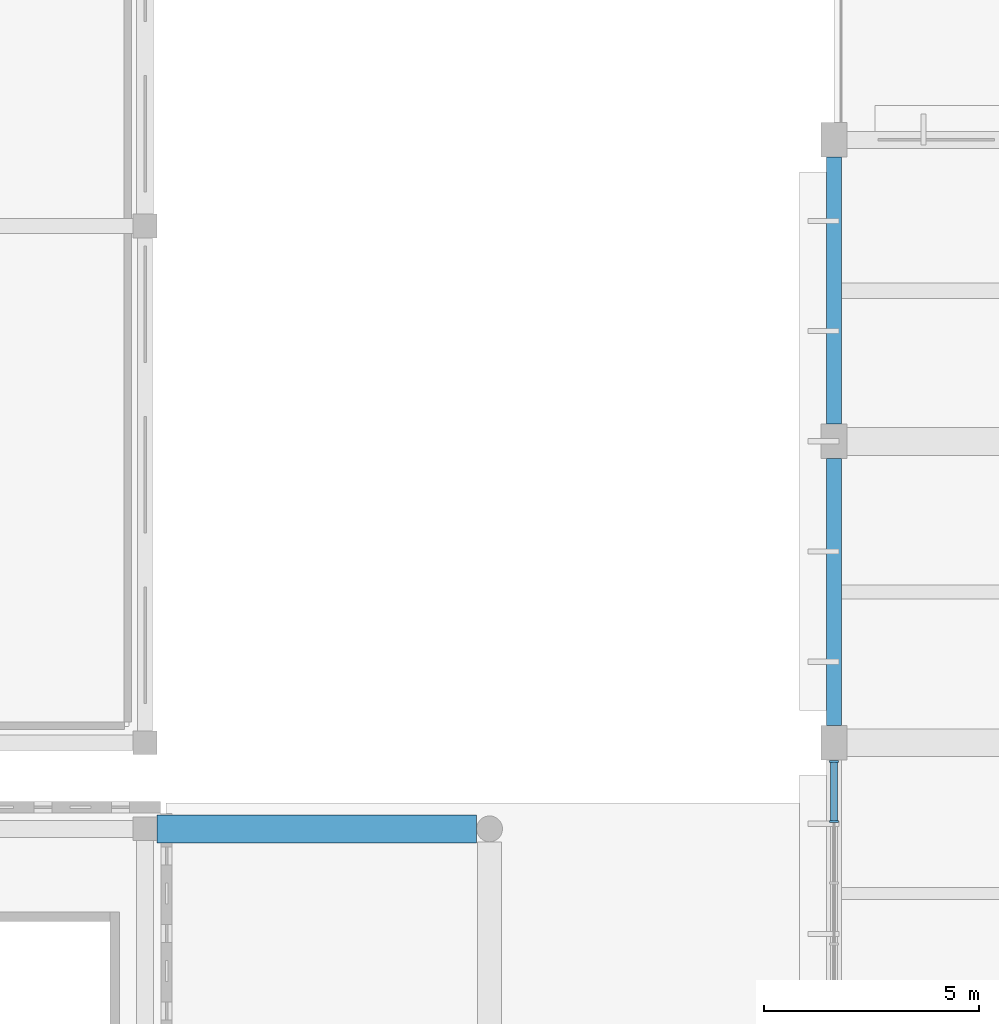
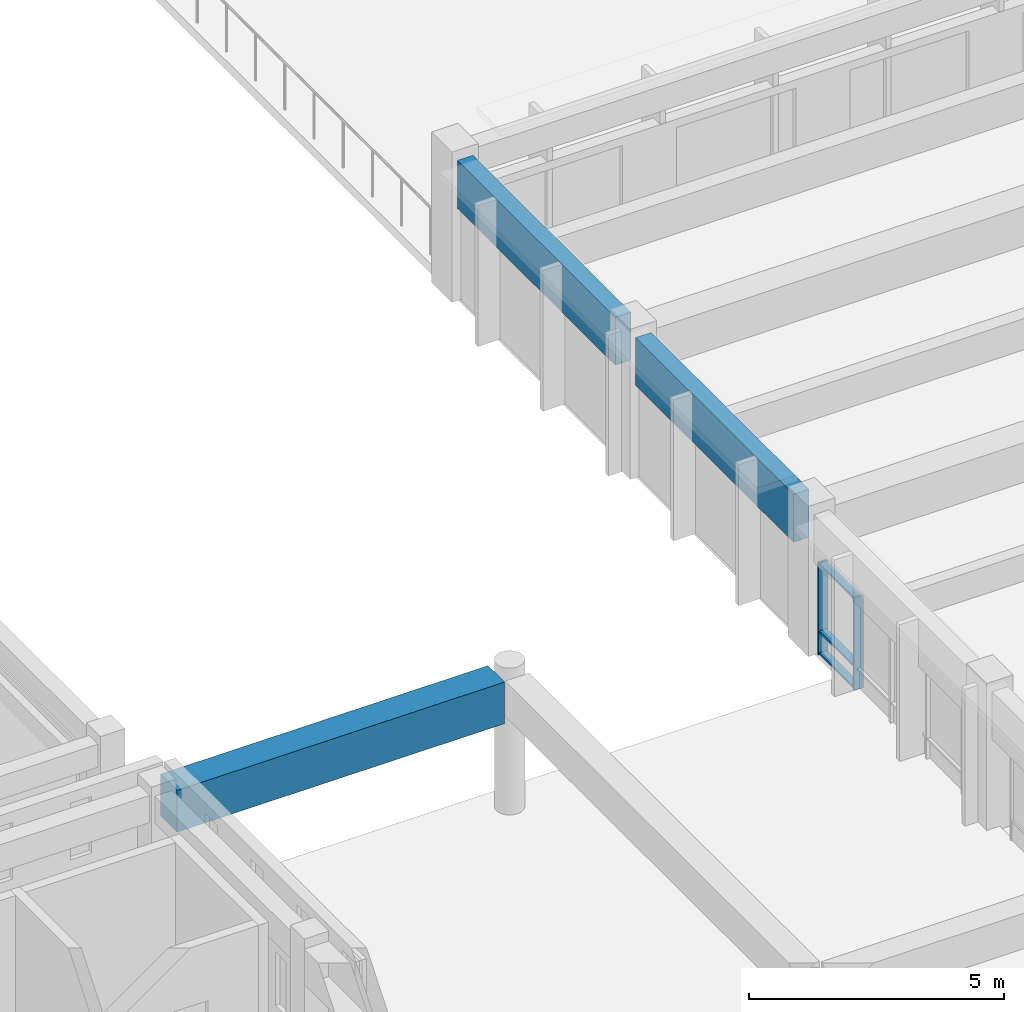
# One storey, part 26 of 155: 5 members, 3 beams, 1 element without a shape of its own.
"""IFC4 building model written with IfcOpenShell, lengths in metres."""

from ifc_helpers import new_model, si_unit, direction, frame, origin, origin_2d, place, context, subcontext, project, spatial, rectangle, extrude, material, material_profile, profile_set, type_object, element, aggregate, save


model = new_model("IFC4")

# Units and contexts
model_context = context("Model", 3, precision=1e-05, world=origin(), true_north=direction((0.0, 1.0)))
body_context = subcontext(model_context, "Body", "Model", "MODEL_VIEW")
ifc_project = project(units=[si_unit("LENGTHUNIT", "METRE"), si_unit("AREAUNIT", "SQUARE_METRE"), si_unit("VOLUMEUNIT", "CUBIC_METRE"), si_unit("PLANEANGLEUNIT", "RADIAN"), si_unit("MASSUNIT", "GRAM", prefix="KILO")], contexts=[model_context])

# Site, building, storey
site_placement = place(None, origin())
site = spatial("IfcSite", under=ifc_project, at=site_placement, CompositionType="ELEMENT")
building_placement = place(site_placement, origin())
building = spatial("IfcBuilding", under=site, at=building_placement, Name="Larkveld Mobility Hub", CompositionType="ELEMENT")
storey_placement = place(building_placement, frame((0.0, 0.0, 8.39990234375)))
storey = spatial("IfcBuildingStorey", under=building, at=storey_placement, Name="L02", CompositionType="ELEMENT", Elevation=8.39990234375)

# Beams
ifc_material_1 = material(Name="Concrete C40/50", Category="concrete")
ifc_material_profile_1 = material_profile(ifc_material_1, rectangle(XDim=0.64990234375, YDim=1.0, at=origin_2d()), Name="RC BM 650x1000")
ifc_profile_set_1 = profile_set([ifc_material_profile_1], Name="Concrete C40/50")
beam_type_1 = type_object("IfcBeamType", Name="BM-RC65100", PredefinedType="BEAM", material=ifc_profile_set_1)
beam_placement = place(storey_placement, frame((96.27490234375, 96.0, 2.860107421875), z_axis=(1.0, 0.0, 0.0), x_axis=(0.0, 1.0, 0.0)))
element("IfcBeam", 1, at=beam_placement, inside=storey, type_object=beam_type_1, Name="Primary E-W Girder L02-0537", PredefinedType="BEAM", context=body_context, shape_type="SweptSolid", body=[
    extrude(rectangle(XDim=0.64990234375, YDim=1.0, at=origin_2d()), origin(), (0.0, 0.0, 1.0), 7.425048828125),
])
ifc_material_2 = material(Name="Precast concrete C50/60", Category="concrete")
ifc_material_profile_2 = material_profile(ifc_material_2, rectangle(XDim=0.35009765625, YDim=1.14990234375, at=origin_2d()), Name="PC SP 350x1150")
ifc_profile_set_2 = profile_set([ifc_material_profile_2], Name="Precast concrete C50/60")
beam_type_2 = type_object("IfcBeamType", Name="BM-SP35115", PredefinedType="SPANDREL", material=ifc_profile_set_2)
for number, where, z_axis, x_axis, name in (
    (2, (112.0, 98.39990234375, 2.78515625), (0.0, 1.0, 0.0), (-1.0, 0.0, 0.0), "Primary N-S Girder L02-0636"),
    (3, (112.0, 105.39990234375, 2.78515625), (0.0, 1.0, 0.0), (-1.0, 0.0, 0.0), "Primary N-S Girder L02-0637"),
):
    element("IfcBeam", number, at=place(storey_placement, frame(where, z_axis=z_axis, x_axis=x_axis)), inside=storey, type_object=beam_type_2, Name=name, PredefinedType="SPANDREL", context=body_context, shape_type="SweptSolid", body=[
        extrude(rectangle(XDim=0.35009765625, YDim=1.14990234375, at=origin_2d()), origin(), (0.0, 0.0, 1.0), 6.2001953125),
    ])

# Curtain wall, members
ifc_material_3 = material(Name="Anodised aluminium 6063-T6", Category="aluminium")
curtain_wall_type = type_object("IfcCurtainWallType", Name="CW-SYS-07", PredefinedType="NOTDEFINED", material=ifc_material_3)
curtain_wall_placement = place(storey_placement, origin())
curtain_wall = element("IfcCurtainWall", 4, at=curtain_wall_placement, inside=storey, type_object=curtain_wall_type, Name="EV Wing West Glazing L02 CW-139", PredefinedType="NOTDEFINED")
ifc_material_profile_3 = material_profile(ifc_material_3, rectangle(XDim=0.050048828125, YDim=0.2099609375, at=origin_2d()), Name="ALU MULL 50x210")
ifc_profile_set_3 = profile_set([ifc_material_profile_3], Name="Anodised aluminium 6063-T6")
member_type_1 = type_object("IfcMemberType", Name="CW-MUL-03", PredefinedType="MULLION", material=ifc_profile_set_3)
member_1_placement = place(storey_placement, frame((112.0, 97.56494140625, -0.001953125), z_axis=(0.0, 0.0, 1.0), x_axis=(0.0, -1.0, 0.0)))
member_1 = element("IfcMember", 5, at=member_1_placement, type_object=member_type_1, Name="CW07 mullion 1", PredefinedType="MULLION", context=body_context, shape_type="SweptSolid", body=[
    extrude(rectangle(XDim=0.050048828125, YDim=0.2099609375, at=origin_2d()), origin(), (0.0, 0.0, 1.0), 2.212158203125),
])
member_2_placement = place(storey_placement, frame((112.0, 96.16796875, -0.001953125), z_axis=(0.0, 0.0, 1.0), x_axis=(0.0, -1.0, 0.0)))
member_2 = element("IfcMember", 6, at=member_2_placement, type_object=member_type_1, Name="CW07 mullion 2", PredefinedType="MULLION", context=body_context, shape_type="SweptSolid", body=[
    extrude(rectangle(XDim=0.050048828125, YDim=0.2099609375, at=origin_2d()), origin(), (0.0, 0.0, 1.0), 2.212158203125),
])
ifc_material_profile_4 = material_profile(ifc_material_3, rectangle(XDim=0.169921875, YDim=0.050048828125, at=origin_2d()), Name="ALU TRAN 50x170")
ifc_profile_set_4 = profile_set([ifc_material_profile_4], Name="Anodised aluminium 6063-T6")
member_type_2 = type_object("IfcMemberType", Name="CW-TRN-03", PredefinedType="USERDEFINED", material=ifc_profile_set_4)
member_3_placement = place(storey_placement, frame((112.0, 97.554931640625, 0.030029296875), z_axis=(0.0, -1.0, 0.0), x_axis=(1.0, 0.0, 0.0)))
member_3 = element("IfcMember", 7, at=member_3_placement, type_object=member_type_2, Name="CW07 transom 1.1", ObjectType="TRANSOM", PredefinedType="USERDEFINED", context=body_context, shape_type="SweptSolid", body=[
    extrude(rectangle(XDim=0.169921875, YDim=0.050048828125, at=origin_2d()), origin(), (0.0, 0.0, 1.0), 1.371826171875),
])
member_4_placement = place(storey_placement, frame((112.0, 97.554931640625, 0.552001953125), z_axis=(0.0, -1.0, 0.0), x_axis=(1.0, 0.0, 0.0)))
member_4 = element("IfcMember", 8, at=member_4_placement, type_object=member_type_2, Name="CW07 transom 1.2", ObjectType="TRANSOM", PredefinedType="USERDEFINED", context=body_context, shape_type="SweptSolid", body=[
    extrude(rectangle(XDim=0.169921875, YDim=0.050048828125, at=origin_2d()), origin(), (0.0, 0.0, 1.0), 1.371826171875),
])
member_5_placement = place(storey_placement, frame((112.0, 97.554931640625, 2.177978515625), z_axis=(0.0, -1.0, 0.0), x_axis=(1.0, 0.0, 0.0)))
member_5 = element("IfcMember", 9, at=member_5_placement, type_object=member_type_2, Name="CW07 transom 1.3", ObjectType="TRANSOM", PredefinedType="USERDEFINED", context=body_context, shape_type="SweptSolid", body=[
    extrude(rectangle(XDim=0.169921875, YDim=0.050048828125, at=origin_2d()), origin(), (0.0, 0.0, 1.0), 1.371826171875),
])
aggregate(curtain_wall, [member_1, member_2, member_3, member_4, member_5])

save(model, "model.ifc")
